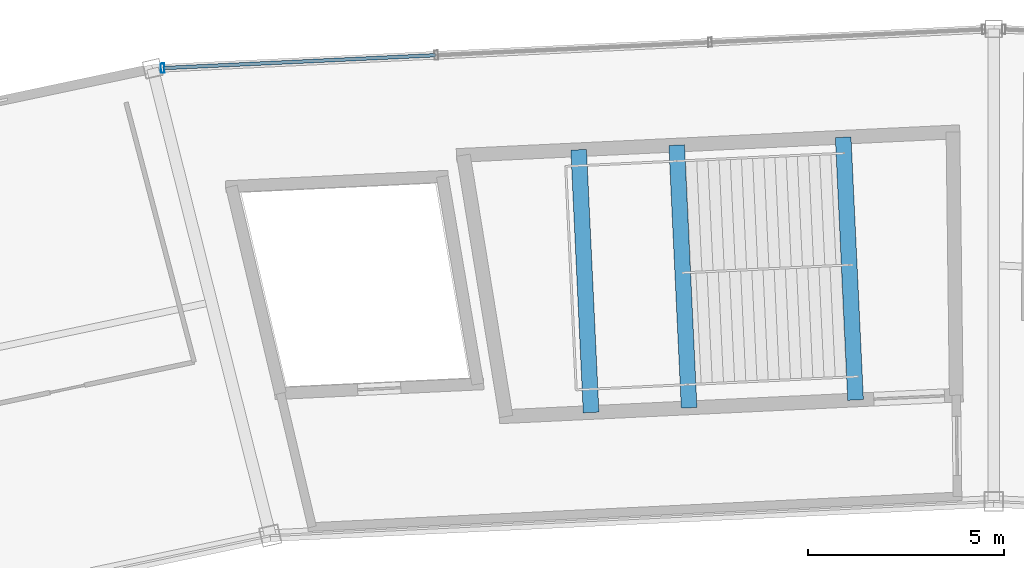
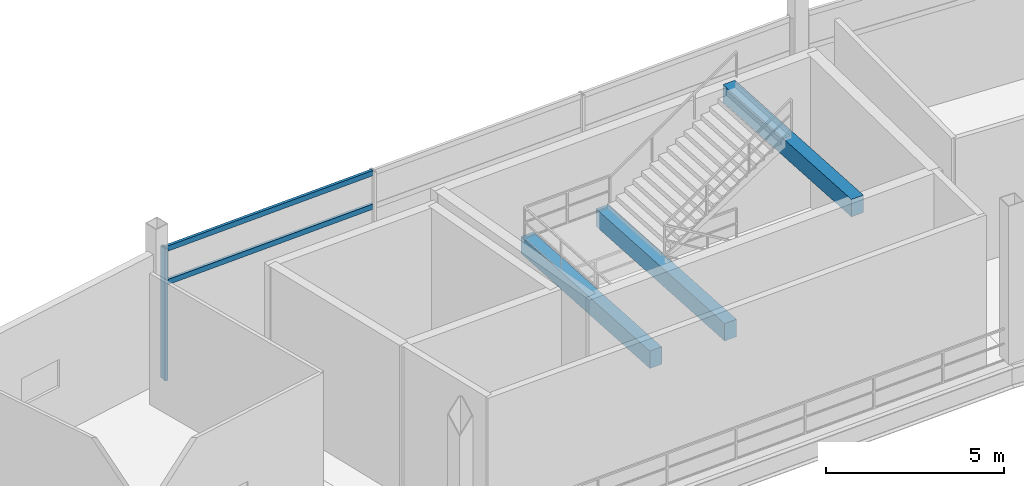
# One storey, part 56 of 103: 3 beams, 3 members, 1 element without a shape of its own.
"""IFC4 building model written with IfcOpenShell, lengths in metres."""

from ifc_helpers import new_model, si_unit, direction, frame, origin, origin_2d, place, context, subcontext, project, spatial, rectangle, hollow_rectangle, extrude, material, layer, layer_set, material_profile, profile_set, type_object, element, aggregate, save


model = new_model("IFC4")

# Units and contexts
model_context = context("Model", 3, precision=1e-05, world=origin(), true_north=direction((0.0, 1.0)))
body_context = subcontext(model_context, "Body", "Model", "MODEL_VIEW")
ifc_project = project(units=[si_unit("LENGTHUNIT", "METRE"), si_unit("AREAUNIT", "SQUARE_METRE"), si_unit("VOLUMEUNIT", "CUBIC_METRE"), si_unit("PLANEANGLEUNIT", "RADIAN"), si_unit("MASSUNIT", "GRAM", prefix="KILO")], contexts=[model_context])

# Site, building, storey
site_placement = place(None, origin())
site = spatial("IfcSite", under=ifc_project, at=site_placement, CompositionType="ELEMENT")
building_placement = place(site_placement, origin())
building = spatial("IfcBuilding", under=site, at=building_placement, Name="Kazemori Nagisa Stadium", CompositionType="ELEMENT")
storey_placement = place(building_placement, frame((0.0, 0.0, 25.840087890625)))
storey = spatial("IfcBuildingStorey", under=building, at=storey_placement, Name="L05", CompositionType="ELEMENT", Elevation=25.840087890625)

# Beams
ifc_material_1 = material(Name="Concrete C40/50 (Fc42)", Category="concrete")
ifc_material_profile_1 = material_profile(ifc_material_1, rectangle(XDim=0.39990234375, YDim=0.60009765625, at=origin_2d()), Name="RC-BM-400x600")
ifc_profile_set_1 = profile_set([ifc_material_profile_1], Name="Concrete C40/50 (Fc42)")
beam_type = type_object("IfcBeamType", Name="Beam_BG-LND400X600", PredefinedType="BEAM", material=ifc_profile_set_1)
beam_1_placement = place(storey_placement, frame((115.240234375, 178.34521484375, 2.219970703125), z_axis=(-0.047258730523, 0.998882681995, 0.0), x_axis=(-0.998882681995, -0.047258730523, 0.0)))
element("IfcBeam", 1, at=beam_1_placement, inside=storey, type_object=beam_type, Name="Core stair mid-landing girder ST05-L05-1", PredefinedType="BEAM", context=body_context, shape_type="SweptSolid", body=[
    extrude(rectangle(XDim=0.39990234375, YDim=0.60009765625, at=origin_2d()), origin(), (0.0, 0.0, 1.0), 6.700439453125),
])
beam_2_placement = place(storey_placement, frame((112.742919921875, 178.22705078125, 2.219970703125), z_axis=(-0.047220656191, 0.998884482625, 0.0), x_axis=(-0.998884482625, -0.047220656191, 0.0)))
element("IfcBeam", 2, at=beam_2_placement, inside=storey, type_object=beam_type, Name="Core stair mid-landing girder ST05-L05-2", PredefinedType="BEAM", context=body_context, shape_type="SweptSolid", body=[
    extrude(rectangle(XDim=0.39990234375, YDim=0.60009765625, at=origin_2d()), origin(), (0.0, 0.0, 1.0), 6.70068359375),
])
beam_3_placement = place(storey_placement, frame((119.48046875, 178.545654296875, 4.8798828125), z_axis=(-0.047222374852, 0.998884401377, 0.0), x_axis=(-0.998884401377, -0.047222374852, 0.0)))
element("IfcBeam", 3, at=beam_3_placement, inside=storey, type_object=beam_type, Name="Core stair arrival header girder ST05-L05", PredefinedType="BEAM", context=body_context, shape_type="SweptSolid", body=[
    extrude(rectangle(XDim=0.39990234375, YDim=0.60009765625, at=origin_2d()), origin(), (0.0, 0.0, 1.0), 6.700439453125),
])

# Curtain wall, members
ifc_material_2 = material(Name="Anodised aluminium 6063-T5", Category="aluminium")
ifc_layer = layer(ifc_material_2, 0.239990234375, Name="Anodised aluminium 6063-T5", Category="aluminium")
ifc_layer_set = layer_set([ifc_layer], Name="Anodised aluminium 6063-T5")
curtain_wall_type = type_object("IfcCurtainWallType", Name="CW_L05R3_105", PredefinedType="USERDEFINED", material=ifc_layer_set)
curtain_wall_placement = place(storey_placement, origin())
curtain_wall = element("IfcCurtainWall", 4, at=curtain_wall_placement, inside=storey, type_object=curtain_wall_type, Name="Unitised curtain wall CW-L05R3-105 L05", ObjectType="UNITISED CURTAIN WALL", PredefinedType="USERDEFINED")
ifc_material_3 = material(Name="Aluminium 6063-T5 anodised", Category="aluminium")
ifc_material_profile_2 = material_profile(ifc_material_3, hollow_rectangle(XDim=0.090087890625, YDim=0.239990234375, WallThickness=0.0048828125, at=origin_2d()), Name="ALU-MULL-90x240x5")
ifc_profile_set_2 = profile_set([ifc_material_profile_2], Name="Aluminium 6063-T5 anodised")
member_type_1 = type_object("IfcMemberType", Name="Mullion_M03", PredefinedType="MULLION", material=ifc_profile_set_2)
member_1_placement = place(storey_placement, frame((101.8271484375, 186.998779296875, 0.0), z_axis=(0.0, 0.0, 1.0), x_axis=(-0.998884022476, -0.047230388971, 0.0)))
member_1 = element("IfcMember", 5, at=member_1_placement, type_object=member_type_1, Name="Curtain wall mullion CW-L05R3-105-M4", PredefinedType="MULLION", context=body_context, shape_type="SweptSolid", body=[
    extrude(hollow_rectangle(XDim=0.090087890625, YDim=0.239990234375, WallThickness=0.0048828125, at=origin_2d()), origin(), (0.0, 0.0, 1.0), 4.530029296875),
])
ifc_material_profile_3 = material_profile(ifc_material_3, hollow_rectangle(XDim=0.090087890625, YDim=0.179931640625, WallThickness=0.0048828125, at=origin_2d()), Name="ALU-TRAN-90x180x5")
ifc_profile_set_3 = profile_set([ifc_material_profile_3], Name="Aluminium 6063-T5 anodised")
member_type_2 = type_object("IfcMemberType", Name="Transom_T03", PredefinedType="USERDEFINED", material=ifc_profile_set_3)
member_2_placement = place(storey_placement, frame((108.77978515625, 187.32763671875, 3.306884765625), z_axis=(-0.998883524201, -0.047240925908, 0.0), x_axis=(0.047240925908, -0.998883524201, 0.0)))
member_2 = element("IfcMember", 6, at=member_2_placement, type_object=member_type_2, Name="Curtain wall transom CW-L05R3-105-T3-mid", ObjectType="TRANSOM", PredefinedType="USERDEFINED", context=body_context, shape_type="SweptSolid", body=[
    extrude(hollow_rectangle(XDim=0.090087890625, YDim=0.179931640625, WallThickness=0.0048828125, at=origin_2d()), origin(), (0.0, 0.0, 1.0), 6.940673828125),
])
member_3_placement = place(storey_placement, frame((108.77978515625, 187.32763671875, 4.4599609375), z_axis=(-0.998883524201, -0.047240925908, 0.0), x_axis=(0.047240925908, -0.998883524201, 0.0)))
member_3 = element("IfcMember", 7, at=member_3_placement, type_object=member_type_2, Name="Curtain wall transom CW-L05R3-105-T3-head", ObjectType="TRANSOM", PredefinedType="USERDEFINED", context=body_context, shape_type="SweptSolid", body=[
    extrude(hollow_rectangle(XDim=0.090087890625, YDim=0.179931640625, WallThickness=0.0048828125, at=origin_2d()), origin(), (0.0, 0.0, 1.0), 6.940673828125),
])
aggregate(curtain_wall, [member_1, member_2, member_3])

save(model, "model.ifc")
